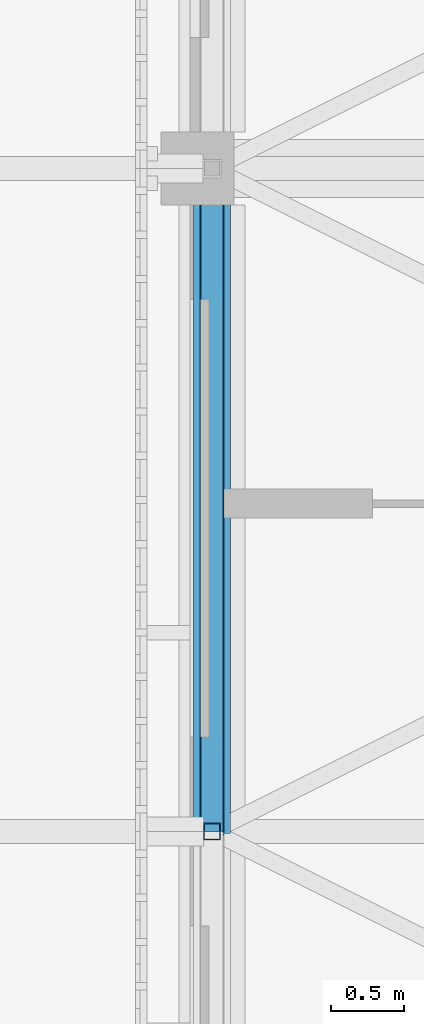
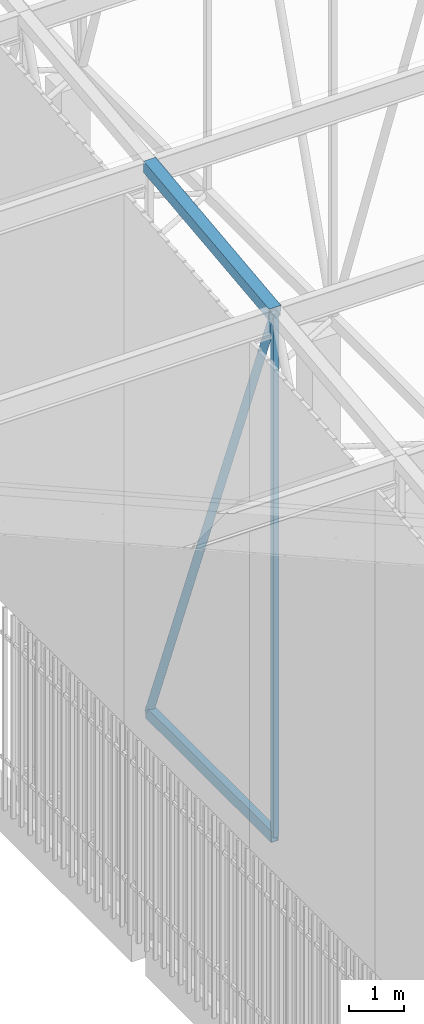
# One storey, part 51 of 500: 4 members.
"""IFC4 building model written with IfcOpenShell, lengths in metres."""

from ifc_helpers import new_model, si_unit, direction, frame, origin, origin_2d, place, context, subcontext, project, spatial, hollow_rectangle, hollow_circle, extrude, material, material_profile, profile_set, type_object, element, save


model = new_model("IFC4")

# Units and contexts
model_context = context("Model", 3, precision=1e-05, world=origin(), true_north=direction((0.0, 1.0)))
body_context = subcontext(model_context, "Body", "Model", "MODEL_VIEW")
ifc_project = project(units=[si_unit("LENGTHUNIT", "METRE"), si_unit("AREAUNIT", "SQUARE_METRE"), si_unit("VOLUMEUNIT", "CUBIC_METRE"), si_unit("PLANEANGLEUNIT", "RADIAN"), si_unit("MASSUNIT", "GRAM", prefix="KILO")], contexts=[model_context])

# Site, building, storey
site_placement = place(None, origin())
site = spatial("IfcSite", under=ifc_project, at=site_placement, CompositionType="ELEMENT")
building_placement = place(site_placement, origin())
building = spatial("IfcBuilding", under=site, at=building_placement, Name="Shirokan Park Arena", CompositionType="ELEMENT")
storey_placement = place(building_placement, frame((0.0, 0.0, 29.1201171875)))
storey = spatial("IfcBuildingStorey", under=building, at=storey_placement, Name="L06", CompositionType="ELEMENT", Elevation=29.1201171875)

# Members
ifc_material = material(Name="Steel ASTM A500 Grade C", Category="steel")
ifc_material_profile_1 = material_profile(ifc_material, hollow_rectangle(XDim=0.152099609375, YDim=0.25390625, WallThickness=0.009521484375, at=origin_2d()), Name="HSS254X152.4X9.5")
ifc_profile_set_1 = profile_set([ifc_material_profile_1], Name="Steel ASTM A500 Grade C")
member_type_1 = type_object("IfcMemberType", Name="Bottom chord HSS254X152.4X9.5", PredefinedType="CHORD", material=ifc_profile_set_1)
member_1_placement = place(storey_placement, frame((0.0, 31.85009765625, 4.677001953125), z_axis=(0.0, 1.0, 0.0), x_axis=(-1.0, 0.0, 0.0)))
element("IfcMember", 1, at=member_1_placement, inside=storey, type_object=member_type_1, Name="Truss T01 bottom chord 10", PredefinedType="CHORD", context=body_context, shape_type="SweptSolid", body=[
    extrude(hollow_rectangle(XDim=0.152099609375, YDim=0.25390625, WallThickness=0.009521484375, at=origin_2d()), origin(), (0.0, 0.0, 1.0), 4.5498046875),
])
ifc_material_profile_2 = material_profile(ifc_material, hollow_rectangle(XDim=0.25390625, YDim=0.25390625, WallThickness=0.009521484375, at=origin_2d()), Name="HSS254X254X9.5")
ifc_profile_set_2 = profile_set([ifc_material_profile_2], Name="Steel ASTM A500 Grade C")
member_type_2 = type_object("IfcMemberType", Name="Top chord HSS254X254X9.5", PredefinedType="CHORD", material=ifc_profile_set_2)
member_2_placement = place(storey_placement, frame((0.0, 31.85009765625, 16.262939453125), z_axis=(0.0, 0.993531641592, 0.11355561261), x_axis=(-1.0, 0.0, 0.0)))
element("IfcMember", 2, at=member_2_placement, inside=storey, type_object=member_type_2, Name="Truss T01 top chord 10", PredefinedType="CHORD", context=body_context, shape_type="SweptSolid", body=[
    extrude(hollow_rectangle(XDim=0.25390625, YDim=0.25390625, WallThickness=0.009521484375, at=origin_2d()), origin(), (0.0, 0.0, 1.0), 4.579345703125),
])
ifc_material_profile_3 = material_profile(ifc_material, hollow_circle(Radius=0.083984375, WallThickness=0.009521484375, at=origin_2d()), Name="HSS168.3X9.5")
ifc_profile_set_3 = profile_set([ifc_material_profile_3], Name="Steel ASTM A500 Grade C")
member_type_3 = type_object("IfcMemberType", Name="Truss diagonal HSS168.3X9.5", PredefinedType="BRACE", material=ifc_profile_set_3)
member_3_placement = place(storey_placement, frame((0.0, 31.85009765625, 16.262939453125), z_axis=(0.0, 0.365526146051, -0.930801072493), x_axis=(-1.0, 0.0, 0.0)))
element("IfcMember", 3, at=member_3_placement, inside=storey, type_object=member_type_3, Name="Truss T01 diagonal 10", PredefinedType="BRACE", context=body_context, shape_type="SweptSolid", body=[
    extrude(hollow_circle(Radius=0.083984375, WallThickness=0.009521484375, at=origin_2d()), origin(), (0.0, 0.0, 1.0), 12.447265625),
])
ifc_material_profile_4 = material_profile(ifc_material, hollow_rectangle(XDim=0.114013671875, YDim=0.114013671875, WallThickness=0.00634765625, at=origin_2d()), Name="HSS114.3X114.3X6.4")
ifc_profile_set_4 = profile_set([ifc_material_profile_4], Name="Steel ASTM A500 Grade C")
member_type_4 = type_object("IfcMemberType", Name="Truss post HSS114.3X114.3X6.4", PredefinedType="POST", material=ifc_profile_set_4)
member_4_placement = place(storey_placement, frame((0.0, 31.85009765625, 4.677001953125), z_axis=(0.0, 0.0, 1.0), x_axis=(1.0, 0.0, 0.0)))
element("IfcMember", 4, at=member_4_placement, inside=storey, type_object=member_type_4, Name="Truss T01 post 10", PredefinedType="POST", context=body_context, shape_type="SweptSolid", body=[
    extrude(hollow_rectangle(XDim=0.114013671875, YDim=0.114013671875, WallThickness=0.00634765625, at=origin_2d()), origin(), (0.0, 0.0, 1.0), 11.5859375),
])

save(model, "model.ifc")
